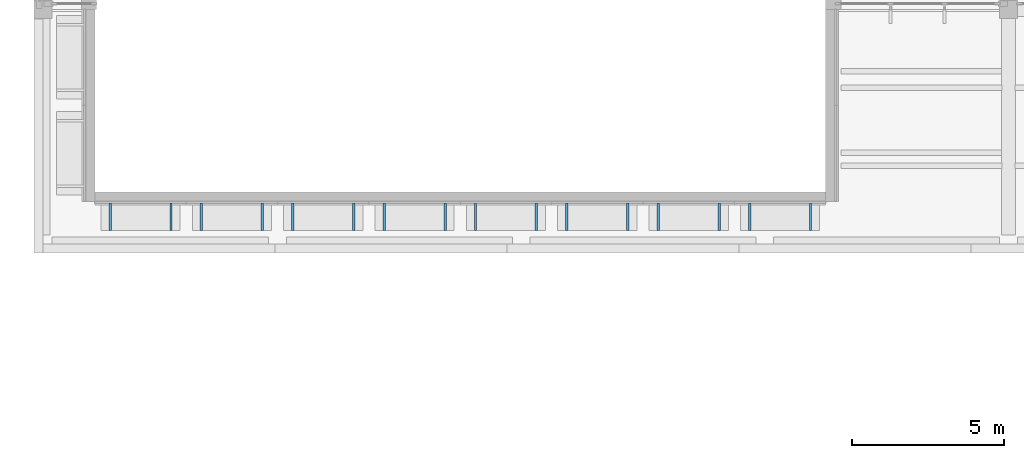
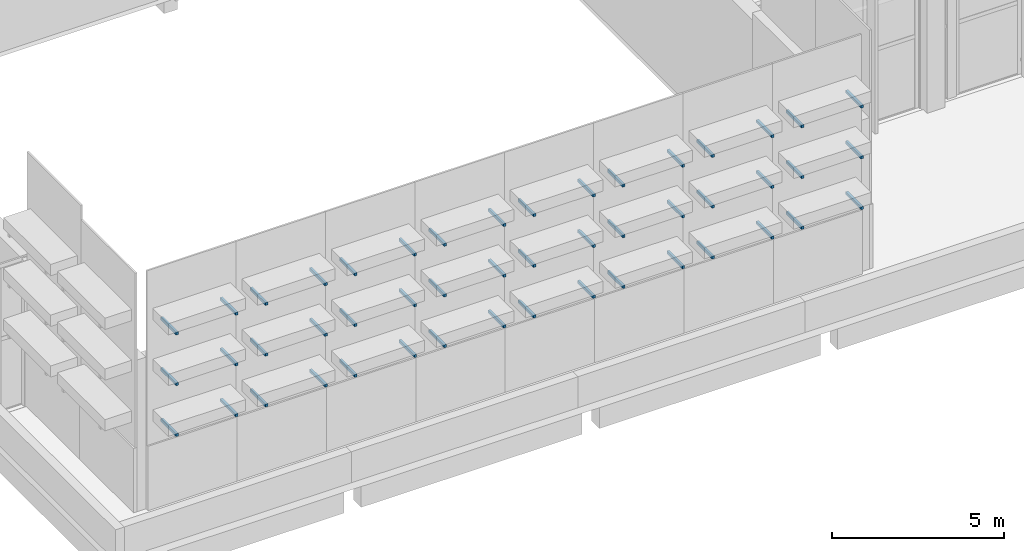
# One storey, part 71 of 94: 48 discrete accessories.
"""IFC4 building model written with IfcOpenShell, lengths in metres."""

import ifcopenshell
import ifcopenshell.guid

model = None  # the IFC model being written
_history = None  # IfcOwnerHistory: only IFC2X3 demands one
_inside = {}  # id of a spatial element -> (the spatial element, [elements in it])
_under = {}  # id of a project, library or spatial element -> (it, [spatial elements below it])
_declared = {}  # id of a project -> (the project, [libraries it declares])
_typed = {}  # id of a type object -> (the type object, [elements of that type])
_made_of = {}  # id of a material, layer set ... -> (it, [elements and type objects made of it])


def new_model(schema):
    """Start an empty IFC model of exactly this schema.

    Asked for "IFC4X3", IfcOpenShell would pick the latest addendum, in which some entities
    have other attributes; the version numbers below select the first issue.
    IFC2X3 requires an IfcOwnerHistory on every rooted entity: one is made here for all.
    """
    global model, _history
    if schema == "IFC4X3":
        model = ifcopenshell.file(schema_version=(4, 3, 0, 0))
    else:
        model = ifcopenshell.file(schema=schema)
    _inside.clear()
    _under.clear()
    _declared.clear()
    _typed.clear()
    _made_of.clear()
    _history = None
    if model.schema == "IFC2X3":
        org = make("IfcOrganization", Name="unknown")
        user = make(
            "IfcPersonAndOrganization",
            ThePerson=make("IfcPerson", FamilyName="unknown"),
            TheOrganization=org,
        )
        app = make(
            "IfcApplication",
            ApplicationDeveloper=org,
            Version="unknown",
            ApplicationFullName="unknown",
            ApplicationIdentifier="unknown",
        )
        _history = make(
            "IfcOwnerHistory",
            OwningUser=user,
            OwningApplication=app,
            ChangeAction="ADDED",
            CreationDate=0,
        )
    return model


def make(cls, **values):
    """One entity of the class cls with the attributes given. An attribute that is None is left unset."""
    return model.create_entity(
        cls, **{name: value for name, value in values.items() if value is not None}
    )


def rooted(cls, **values):
    """An entity with a GlobalId (a new one), such as an element, a storey or a relation."""
    return make(cls, GlobalId=ifcopenshell.guid.new(), OwnerHistory=_history, **values)


def si_unit(unit_type, name, prefix=None):
    """IfcSIUnit, for example si_unit("LENGTHUNIT", "METRE", prefix="MILLI")."""
    return make("IfcSIUnit", UnitType=unit_type, Prefix=prefix, Name=name)


def assignment(units):
    """IfcUnitAssignment: the units of a project."""
    return None if units is None else make("IfcUnitAssignment", Units=units)


def point(xyz):
    """IfcCartesianPoint."""
    return None if xyz is None else make("IfcCartesianPoint", Coordinates=xyz)


def direction(xyz):
    """IfcDirection."""
    return None if xyz is None else make("IfcDirection", DirectionRatios=xyz)


def frame(location, z_axis=None, x_axis=None):
    """IfcAxis2Placement3D, a coordinate frame: its origin and axes. An axis left out is left unset."""
    return make(
        "IfcAxis2Placement3D",
        Location=point(location),
        Axis=direction(z_axis),
        RefDirection=direction(x_axis),
    )


def frame_2d(location, x_axis=None):
    """IfcAxis2Placement2D, a coordinate frame in the plane: its origin and x axis."""
    return make(
        "IfcAxis2Placement2D", Location=point(location), RefDirection=direction(x_axis)
    )


def origin():
    """The frame at (0, 0, 0) with its axes left unset."""
    return frame((0.0, 0.0, 0.0))


def origin_2d():
    """The frame at (0, 0) in the plane with its x axis left unset."""
    return frame_2d((0.0, 0.0))


def place(relative_to, where):
    """IfcLocalPlacement: puts the frame where relative to a parent placement (None: the world)."""
    return make(
        "IfcLocalPlacement", PlacementRelTo=relative_to, RelativePlacement=where
    )


def context(
    kind, dimensions, precision=None, world=None, true_north=None, identifier=None
):
    """IfcGeometricRepresentationContext, for example the 3D "Model" context."""
    return make(
        "IfcGeometricRepresentationContext",
        ContextIdentifier=identifier,
        ContextType=kind,
        CoordinateSpaceDimension=dimensions,
        Precision=precision,
        WorldCoordinateSystem=world,
        TrueNorth=true_north,
    )


def subcontext(parent, identifier, kind, view, scale=None):
    """IfcGeometricRepresentationSubContext, for example "Body" below "Model"."""
    return make(
        "IfcGeometricRepresentationSubContext",
        ContextIdentifier=identifier,
        ContextType=kind,
        ParentContext=parent,
        TargetScale=scale,
        TargetView=view,
    )


def project(units=None, contexts=None):
    """IfcProject with its units and contexts."""
    return rooted(
        "IfcProject",
        Name="project",
        RepresentationContexts=contexts,
        UnitsInContext=assignment(units),
    )


def spatial(cls, under=None, at=None, **own):
    """A site, building, storey or space (cls), placed at a placement, below another one or the project."""
    s = rooted(cls, ObjectPlacement=at, **own)
    if under is not None:
        _under.setdefault(under.id(), (under, []))[1].append(s)
    return s


def profile(cls, at=None, kind="AREA", **sizes):
    """A parametric profile (cls). Its sizes go by their IFC names, for example OverallWidth=200.0."""
    return make(cls, ProfileType=kind, Position=at, **sizes)


def rectangle(**sizes):
    """IfcRectangleProfileDef."""
    return profile("IfcRectangleProfileDef", **sizes)


def extrude(swept, where, along, depth):
    """IfcExtrudedAreaSolid: the profile swept, set in the frame where, extruded along a direction by depth."""
    return make(
        "IfcExtrudedAreaSolid",
        SweptArea=swept,
        Position=where,
        ExtrudedDirection=direction(along),
        Depth=depth,
    )


def shape(context_of_items, identifier, shape_type, items):
    """IfcShapeRepresentation: the items that make up one representation, for example the "Body"."""
    return make(
        "IfcShapeRepresentation",
        ContextOfItems=context_of_items,
        RepresentationIdentifier=identifier,
        RepresentationType=shape_type,
        Items=items,
    )


def material(Name=None, Category=None):
    """IfcMaterial."""
    return make("IfcMaterial", Name=Name, Category=Category)


def made_of(thing, what):
    """Note that an element or type object is made of a material, layer set ...; save() writes the relation."""
    if what is not None:
        _made_of.setdefault(what.id(), (what, []))[1].append(thing)
    return thing


def type_object(cls, material=None, **own):
    """A type object (cls), such as IfcWallType, which elements share."""
    return made_of(rooted(cls, **own), material)


def element(
    cls,
    number,
    at=None,
    inside=None,
    cuts=None,
    type_object=None,
    material=None,
    context=None,
    identifier="Body",
    shape_type=None,
    held_by="IfcProductDefinitionShape",
    body=None,
    shapes=None,
    **own,
):
    """One element of the class cls, such as IfcWall. Its Tag is "e" and its number.

    at: its placement. inside: the storey or other place that contains it. cuts: it is an
    opening in that element (IfcRelVoidsElement). A single representation is given by context,
    identifier, shape_type and body (its items); several are given by shapes. held_by: the class
    of the entity that holds the representations. save() writes the other relations.
    """
    e = rooted(cls, Tag="e%d" % number, ObjectPlacement=at, **own)
    if body is not None:
        shapes = [shape(context, identifier, shape_type, body)]
    if shapes is not None:
        e.Representation = make(held_by, Representations=shapes)
    if inside is not None:
        _inside.setdefault(inside.id(), (inside, []))[1].append(e)
    if cuts is not None:
        rooted(
            "IfcRelVoidsElement", RelatingBuildingElement=cuts, RelatedOpeningElement=e
        )
    if type_object is not None:
        _typed.setdefault(type_object.id(), (type_object, []))[1].append(e)
    return made_of(e, material)


def aggregate(whole, parts):
    """IfcRelAggregates: a whole, such as a stair, and the parts it consists of."""
    return rooted("IfcRelAggregates", RelatingObject=whole, RelatedObjects=parts)


def save(model, path):
    """Write the relations noted so far, then the file.

    IfcRelAggregates (storeys below a building ...), IfcRelContainedInSpatialStructure (elements
    in a storey), IfcRelDefinesByType, IfcRelAssociatesMaterial and IfcRelDeclares: one each for
    every whole, place, type object, material and project.
    """
    for whole, parts in _under.values():
        aggregate(whole, parts)
    for where, things in _inside.values():
        rooted(
            "IfcRelContainedInSpatialStructure",
            RelatedElements=things,
            RelatingStructure=where,
        )
    for kind, things in _typed.values():
        rooted("IfcRelDefinesByType", RelatedObjects=things, RelatingType=kind)
    for what, things in _made_of.values():
        rooted("IfcRelAssociatesMaterial", RelatedObjects=things, RelatingMaterial=what)
    for by, libraries in _declared.values():
        rooted("IfcRelDeclares", RelatingContext=by, RelatedDefinitions=libraries)
    model.write(path)


model = new_model("IFC4")

# Units and contexts
model_context = context("Model", 3, precision=1e-05, world=origin(), true_north=direction((0.0, 1.0)))
body_context = subcontext(model_context, "Body", "Model", "MODEL_VIEW")
ifc_project = project(units=[si_unit("LENGTHUNIT", "METRE"), si_unit("AREAUNIT", "SQUARE_METRE"), si_unit("VOLUMEUNIT", "CUBIC_METRE"), si_unit("PLANEANGLEUNIT", "RADIAN"), si_unit("MASSUNIT", "GRAM", prefix="KILO")], contexts=[model_context])

# Site, building, storey
site_placement = place(None, origin())
site = spatial("IfcSite", under=ifc_project, at=site_placement, CompositionType="ELEMENT")
building_placement = place(site_placement, origin())
building = spatial("IfcBuilding", under=site, at=building_placement, Name="Lunette Opera House", CompositionType="ELEMENT")
storey_placement = place(building_placement, frame((0.0, 0.0, 22.5)))
storey = spatial("IfcBuildingStorey", under=building, at=storey_placement, Name="L04", CompositionType="ELEMENT", Elevation=22.5)

# Discrete accessories
ifc_material = material(Name="Galvanised steel", Category="steel")
discrete_accessory_type = type_object("IfcDiscreteAccessoryType", Name="FIN BRACKET STEEL", PredefinedType="BRACKET", material=ifc_material)
for number, where, z_axis, x_axis, name in (
    (1, (10.5, 65.18994140625, 3.099853515625), (0.0, 0.0, 1.0), (0.0, -1.0, 0.0), "Blade bracket loft S 0 1"),
    (2, (12.5, 65.18994140625, 3.099853515625), (0.0, 0.0, 1.0), (0.0, -1.0, 0.0), "Blade bracket loft S 0 2"),
    (3, (10.5, 65.18994140625, 4.89990234375), (0.0, 0.0, 1.0), (0.0, -1.0, 0.0), "Blade bracket loft S 0 1"),
    (4, (12.5, 65.18994140625, 4.89990234375), (0.0, 0.0, 1.0), (0.0, -1.0, 0.0), "Blade bracket loft S 0 2"),
    (5, (10.5, 65.18994140625, 6.699951171875), (0.0, 0.0, 1.0), (0.0, -1.0, 0.0), "Blade bracket loft S 0 1"),
    (6, (12.5, 65.18994140625, 6.699951171875), (0.0, 0.0, 1.0), (0.0, -1.0, 0.0), "Blade bracket loft S 0 2"),
    (7, (13.5, 65.18994140625, 3.099853515625), (0.0, 0.0, 1.0), (0.0, -1.0, 0.0), "Blade bracket loft S 1 1"),
    (8, (15.5, 65.18994140625, 3.099853515625), (0.0, 0.0, 1.0), (0.0, -1.0, 0.0), "Blade bracket loft S 1 2"),
    (9, (13.5, 65.18994140625, 4.89990234375), (0.0, 0.0, 1.0), (0.0, -1.0, 0.0), "Blade bracket loft S 1 1"),
    (10, (15.5, 65.18994140625, 4.89990234375), (0.0, 0.0, 1.0), (0.0, -1.0, 0.0), "Blade bracket loft S 1 2"),
    (11, (13.5, 65.18994140625, 6.699951171875), (0.0, 0.0, 1.0), (0.0, -1.0, 0.0), "Blade bracket loft S 1 1"),
    (12, (15.5, 65.18994140625, 6.699951171875), (0.0, 0.0, 1.0), (0.0, -1.0, 0.0), "Blade bracket loft S 1 2"),
    (13, (16.5, 65.18994140625, 3.099853515625), (0.0, 0.0, 1.0), (0.0, -1.0, 0.0), "Blade bracket loft S 2 1"),
    (14, (18.5, 65.18994140625, 3.099853515625), (0.0, 0.0, 1.0), (0.0, -1.0, 0.0), "Blade bracket loft S 2 2"),
    (15, (16.5, 65.18994140625, 4.89990234375), (0.0, 0.0, 1.0), (0.0, -1.0, 0.0), "Blade bracket loft S 2 1"),
    (16, (18.5, 65.18994140625, 4.89990234375), (0.0, 0.0, 1.0), (0.0, -1.0, 0.0), "Blade bracket loft S 2 2"),
    (17, (16.5, 65.18994140625, 6.699951171875), (0.0, 0.0, 1.0), (0.0, -1.0, 0.0), "Blade bracket loft S 2 1"),
    (18, (18.5, 65.18994140625, 6.699951171875), (0.0, 0.0, 1.0), (0.0, -1.0, 0.0), "Blade bracket loft S 2 2"),
    (19, (19.5, 65.18994140625, 3.099853515625), (0.0, 0.0, 1.0), (0.0, -1.0, 0.0), "Blade bracket loft S 3 1"),
    (20, (21.5, 65.18994140625, 3.099853515625), (0.0, 0.0, 1.0), (0.0, -1.0, 0.0), "Blade bracket loft S 3 2"),
    (21, (19.5, 65.18994140625, 4.89990234375), (0.0, 0.0, 1.0), (0.0, -1.0, 0.0), "Blade bracket loft S 3 1"),
    (22, (21.5, 65.18994140625, 4.89990234375), (0.0, 0.0, 1.0), (0.0, -1.0, 0.0), "Blade bracket loft S 3 2"),
    (23, (19.5, 65.18994140625, 6.699951171875), (0.0, 0.0, 1.0), (0.0, -1.0, 0.0), "Blade bracket loft S 3 1"),
    (24, (21.5, 65.18994140625, 6.699951171875), (0.0, 0.0, 1.0), (0.0, -1.0, 0.0), "Blade bracket loft S 3 2"),
    (25, (22.5, 65.18994140625, 3.099853515625), (0.0, 0.0, 1.0), (0.0, -1.0, 0.0), "Blade bracket loft S 4 1"),
    (26, (24.5, 65.18994140625, 3.099853515625), (0.0, 0.0, 1.0), (0.0, -1.0, 0.0), "Blade bracket loft S 4 2"),
    (27, (22.5, 65.18994140625, 4.89990234375), (0.0, 0.0, 1.0), (0.0, -1.0, 0.0), "Blade bracket loft S 4 1"),
    (28, (24.5, 65.18994140625, 4.89990234375), (0.0, 0.0, 1.0), (0.0, -1.0, 0.0), "Blade bracket loft S 4 2"),
    (29, (22.5, 65.18994140625, 6.699951171875), (0.0, 0.0, 1.0), (0.0, -1.0, 0.0), "Blade bracket loft S 4 1"),
    (30, (24.5, 65.18994140625, 6.699951171875), (0.0, 0.0, 1.0), (0.0, -1.0, 0.0), "Blade bracket loft S 4 2"),
    (31, (25.5, 65.18994140625, 3.099853515625), (0.0, 0.0, 1.0), (0.0, -1.0, 0.0), "Blade bracket loft S 5 1"),
    (32, (27.5, 65.18994140625, 3.099853515625), (0.0, 0.0, 1.0), (0.0, -1.0, 0.0), "Blade bracket loft S 5 2"),
    (33, (25.5, 65.18994140625, 4.89990234375), (0.0, 0.0, 1.0), (0.0, -1.0, 0.0), "Blade bracket loft S 5 1"),
    (34, (27.5, 65.18994140625, 4.89990234375), (0.0, 0.0, 1.0), (0.0, -1.0, 0.0), "Blade bracket loft S 5 2"),
    (35, (25.5, 65.18994140625, 6.699951171875), (0.0, 0.0, 1.0), (0.0, -1.0, 0.0), "Blade bracket loft S 5 1"),
    (36, (27.5, 65.18994140625, 6.699951171875), (0.0, 0.0, 1.0), (0.0, -1.0, 0.0), "Blade bracket loft S 5 2"),
    (37, (28.5, 65.18994140625, 3.099853515625), (0.0, 0.0, 1.0), (0.0, -1.0, 0.0), "Blade bracket loft S 6 1"),
    (38, (30.5, 65.18994140625, 3.099853515625), (0.0, 0.0, 1.0), (0.0, -1.0, 0.0), "Blade bracket loft S 6 2"),
    (39, (28.5, 65.18994140625, 4.89990234375), (0.0, 0.0, 1.0), (0.0, -1.0, 0.0), "Blade bracket loft S 6 1"),
    (40, (30.5, 65.18994140625, 4.89990234375), (0.0, 0.0, 1.0), (0.0, -1.0, 0.0), "Blade bracket loft S 6 2"),
    (41, (28.5, 65.18994140625, 6.699951171875), (0.0, 0.0, 1.0), (0.0, -1.0, 0.0), "Blade bracket loft S 6 1"),
    (42, (30.5, 65.18994140625, 6.699951171875), (0.0, 0.0, 1.0), (0.0, -1.0, 0.0), "Blade bracket loft S 6 2"),
    (43, (31.5, 65.18994140625, 3.099853515625), (0.0, 0.0, 1.0), (0.0, -1.0, 0.0), "Blade bracket loft S 7 1"),
    (44, (33.5, 65.18994140625, 3.099853515625), (0.0, 0.0, 1.0), (0.0, -1.0, 0.0), "Blade bracket loft S 7 2"),
    (45, (31.5, 65.18994140625, 4.89990234375), (0.0, 0.0, 1.0), (0.0, -1.0, 0.0), "Blade bracket loft S 7 1"),
    (46, (33.5, 65.18994140625, 4.89990234375), (0.0, 0.0, 1.0), (0.0, -1.0, 0.0), "Blade bracket loft S 7 2"),
    (47, (31.5, 65.18994140625, 6.699951171875), (0.0, 0.0, 1.0), (0.0, -1.0, 0.0), "Blade bracket loft S 7 1"),
    (48, (33.5, 65.18994140625, 6.699951171875), (0.0, 0.0, 1.0), (0.0, -1.0, 0.0), "Blade bracket loft S 7 2"),
):
    element("IfcDiscreteAccessory", number, at=place(storey_placement, frame(where, z_axis=z_axis, x_axis=x_axis)), inside=storey, type_object=discrete_accessory_type, Name=name, PredefinedType="BRACKET", context=body_context, shape_type="SweptSolid", body=[
        extrude(rectangle(XDim=0.89990234375, YDim=0.080078125, at=origin_2d()), origin(), (0.0, 0.0, 1.0), 0.10009765625),
    ])

save(model, "model.ifc")
